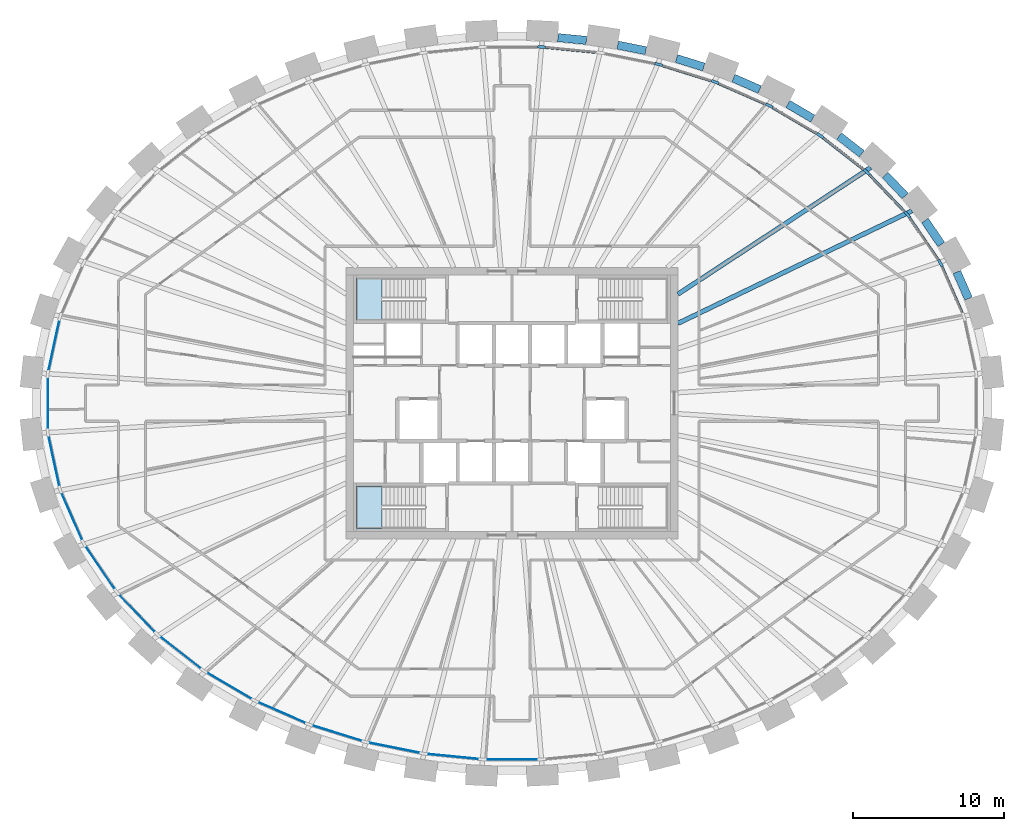
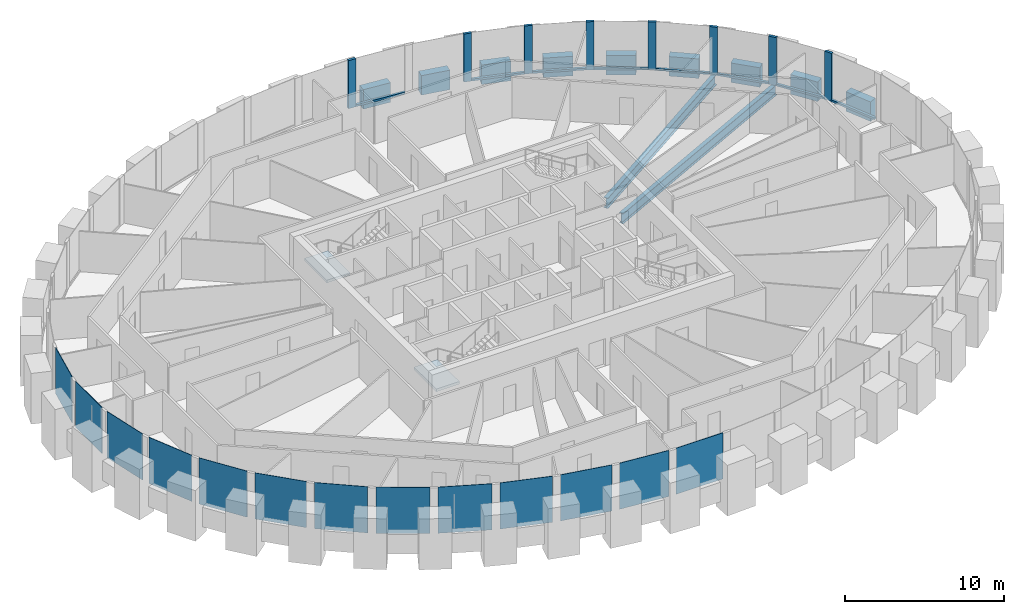
# One storey, part 4 of 12: 16 members, 13 plates, 11 beams, 2 slabs, 3 elements without a shape of their own.
"""IFC4 building model written with IfcOpenShell, lengths in metres."""

from ifc_helpers import new_model, si_unit, direction, frame, origin, origin_2d, place, context, subcontext, project, spatial, polyline, rectangle, i_section, outline, extrude, source, transform, mapped, material, layer, layer_set, material_profile, profile_set, type_object, element, aggregate, save


model = new_model("IFC4")

# Units and contexts
model_context = context("Model", 3, precision=1e-05, world=origin(), true_north=direction((0.0, 1.0)))
body_context = subcontext(model_context, "Body", "Model", "MODEL_VIEW")
ifc_project = project(units=[si_unit("LENGTHUNIT", "METRE"), si_unit("AREAUNIT", "SQUARE_METRE"), si_unit("VOLUMEUNIT", "CUBIC_METRE"), si_unit("PLANEANGLEUNIT", "RADIAN"), si_unit("MASSUNIT", "GRAM", prefix="KILO")], contexts=[model_context])

# Site, building, storey
site_placement = place(None, origin())
site = spatial("IfcSite", under=ifc_project, at=site_placement, CompositionType="ELEMENT")
building_placement = place(site_placement, origin())
building = spatial("IfcBuilding", under=site, at=building_placement, Name="Embergate Tower", CompositionType="ELEMENT")
storey_placement = place(building_placement, frame((0.0, 0.0, 281.199951171875)))
storey = spatial("IfcBuildingStorey", under=building, at=storey_placement, Name="L65", CompositionType="ELEMENT", Elevation=281.199951171875)

# Beams
ifc_material_1 = material(Name="Concrete C60", Category="concrete")
ifc_material_profile_1 = material_profile(ifc_material_1, rectangle(XDim=0.550048828125, YDim=1.5, at=origin_2d()), Name="RC 550x1500")
ifc_profile_set_1 = profile_set([ifc_material_profile_1], Name="Concrete C60")
beam_type_1 = type_object("IfcBeamType", Name="Spandrel beam RC 550x1500 C60", PredefinedType="BEAM", material=ifc_profile_set_1)
shared_shape_1 = source(origin(), body_context, "Body", "SweptSolid", [
    extrude(rectangle(XDim=0.550048828125, YDim=1.5, at=origin_2d()), origin(), (0.0, 0.0, 1.0), 1.924560546875),
])
beam_1_placement = place(storey_placement, frame((30.26904296875, 6.93505859375, 0.0), z_axis=(-0.402156084764, 0.91557112421, 0.0), x_axis=(-0.91557112421, -0.402156084764, 0.0)))
element("IfcBeam", 1, at=beam_1_placement, inside=storey, type_object=beam_type_1, Name="SPN-L65-01", PredefinedType="BEAM", context=body_context, shape_type="MappedRepresentation", body=[
    mapped(shared_shape_1, transform((0.0, 0.0, 0.0))),
])
shared_shape_2 = source(origin(), body_context, "Body", "SweptSolid", [
    extrude(rectangle(XDim=0.550048828125, YDim=1.5, at=origin_2d()), origin(), (0.0, 0.0, 1.0), 1.91455078125),
])
beam_2_placement = place(storey_placement, frame((28.4609375, 10.52490234375, 0.0), z_axis=(-0.562473939822, 0.826815013785, 0.0), x_axis=(-0.826815013785, -0.562473939822, 0.0)))
element("IfcBeam", 2, at=beam_2_placement, inside=storey, type_object=beam_type_1, Name="SPN-L65-02", PredefinedType="BEAM", context=body_context, shape_type="MappedRepresentation", body=[
    mapped(shared_shape_2, transform((0.0, 0.0, 0.0))),
])
shared_shape_3 = source(origin(), body_context, "Body", "SweptSolid", [
    extrude(rectangle(XDim=0.550048828125, YDim=1.5, at=origin_2d()), origin(), (0.0, 0.0, 1.0), 1.913330078125),
])
beam_3_placement = place(storey_placement, frame((26.06494140625, 13.741943359375, 0.0), z_axis=(-0.690454502374, 0.723375822206, 0.0), x_axis=(-0.723375822206, -0.690454502374, 0.0)))
element("IfcBeam", 3, at=beam_3_placement, inside=storey, type_object=beam_type_1, Name="SPN-L65-03", PredefinedType="BEAM", context=body_context, shape_type="MappedRepresentation", body=[
    mapped(shared_shape_3, transform((0.0, 0.0, 0.0))),
])
shared_shape_4 = source(origin(), body_context, "Body", "SweptSolid", [
    extrude(rectangle(XDim=0.550048828125, YDim=1.5, at=origin_2d()), origin(), (0.0, 0.0, 1.0), 1.907958984375),
])
beam_4_placement = place(storey_placement, frame((23.18798828125, 16.535888671875, 0.0), z_axis=(-0.788241602778, 0.615365887623, 0.0), x_axis=(-0.615365887623, -0.788241602778, 0.0)))
element("IfcBeam", 4, at=beam_4_placement, inside=storey, type_object=beam_type_1, Name="SPN-L65-04", PredefinedType="BEAM", context=body_context, shape_type="MappedRepresentation", body=[
    mapped(shared_shape_4, transform((0.0, 0.0, 0.0))),
])
shared_shape_5 = source(origin(), body_context, "Body", "SweptSolid", [
    extrude(rectangle(XDim=0.550048828125, YDim=1.5, at=origin_2d()), origin(), (0.0, 0.0, 1.0), 1.90234375),
])
beam_5_placement = place(storey_placement, frame((19.93603515625, 18.8740234375, 0.0), z_axis=(-0.862145280572, 0.506661144343, 0.0), x_axis=(-0.506661144343, -0.862145280572, 0.0)))
element("IfcBeam", 5, at=beam_5_placement, inside=storey, type_object=beam_type_1, Name="SPN-L65-05", PredefinedType="BEAM", context=body_context, shape_type="MappedRepresentation", body=[
    mapped(shared_shape_5, transform((0.0, 0.0, 0.0))),
])
shared_shape_6 = source(origin(), body_context, "Body", "SweptSolid", [
    extrude(rectangle(XDim=0.550048828125, YDim=1.5, at=origin_2d()), origin(), (0.0, 0.0, 1.0), 1.89990234375),
])
beam_6_placement = place(storey_placement, frame((16.425048828125, 20.79296875, 0.0), z_axis=(-0.916289991501, 0.400515482192, 0.0), x_axis=(-0.400515482192, -0.916289991501, 0.0)))
element("IfcBeam", 6, at=beam_6_placement, inside=storey, type_object=beam_type_1, Name="SPN-L65-06", PredefinedType="BEAM", context=body_context, shape_type="MappedRepresentation", body=[
    mapped(shared_shape_6, transform((0.0, 0.0, 0.0))),
])
shared_shape_7 = source(origin(), body_context, "Body", "SweptSolid", [
    extrude(rectangle(XDim=0.550048828125, YDim=1.5, at=origin_2d()), origin(), (0.0, 0.0, 1.0), 1.898681640625),
])
beam_7_placement = place(storey_placement, frame((12.717041015625, 22.2880859375, 0.0), z_axis=(-0.954868123024, 0.297030078667, 0.0), x_axis=(-0.297030078667, -0.954868123024, 0.0)))
element("IfcBeam", 7, at=beam_7_placement, inside=storey, type_object=beam_type_1, Name="SPN-L65-07", PredefinedType="BEAM", context=body_context, shape_type="MappedRepresentation", body=[
    mapped(shared_shape_7, transform((0.0, 0.0, 0.0))),
])
shared_shape_8 = source(origin(), body_context, "Body", "SweptSolid", [
    extrude(rectangle(XDim=0.550048828125, YDim=1.5, at=origin_2d()), origin(), (0.0, 0.0, 1.0), 1.895751953125),
])
beam_8_placement = place(storey_placement, frame((8.868896484375, 23.3720703125, 0.0), z_axis=(-0.980575722075, 0.196140901592, 0.0), x_axis=(-0.196140901592, -0.980575722075, 0.0)))
element("IfcBeam", 8, at=beam_8_placement, inside=storey, type_object=beam_type_1, Name="SPN-L65-08", PredefinedType="BEAM", context=body_context, shape_type="MappedRepresentation", body=[
    mapped(shared_shape_8, transform((0.0, 0.0, 0.0))),
])
shared_shape_9 = source(origin(), body_context, "Body", "SweptSolid", [
    extrude(rectangle(XDim=0.550048828125, YDim=1.5, at=origin_2d()), origin(), (0.0, 0.0, 1.0), 1.896240234375),
])
beam_9_placement = place(storey_placement, frame((4.93310546875, 24.053955078125, 0.0), z_axis=(-0.995176416472, 0.098101478571, 0.0), x_axis=(-0.098101478571, -0.995176416472, 0.0)))
element("IfcBeam", 9, at=beam_9_placement, inside=storey, type_object=beam_type_1, Name="SPN-L65-09", PredefinedType="BEAM", context=body_context, shape_type="MappedRepresentation", body=[
    mapped(shared_shape_9, transform((0.0, 0.0, 0.0))),
])
ifc_material_2 = material(Name="Steel Q355B", Category="steel")
ifc_material_profile_2 = material_profile(ifc_material_2, i_section(OverallWidth=0.300048828125, OverallDepth=0.800048828125, WebThickness=0.013916015625, FlangeThickness=0.02587890625, FilletRadius=0.028076171875, at=origin_2d()), Name="HN 800x300x14x26")
ifc_profile_set_2 = profile_set([ifc_material_profile_2], Name="Steel Q355 grade B")
beam_type_2 = type_object("IfcBeamType", Name="Radial girder HN 800x300x14x26", PredefinedType="BEAM", material=ifc_profile_set_2)
shared_shape_10 = source(origin(), body_context, "Body", "SweptSolid", [
    extrude(i_section(OverallWidth=0.300048828125, OverallDepth=0.800048828125, WebThickness=0.013916015625, FlangeThickness=0.02587890625, FilletRadius=0.028076171875, at=origin_2d()), origin(), (0.0, 0.0, 1.0), 17.216552734375),
])
beam_10_placement = place(storey_placement, frame((26.514892578125, 12.7548828125, -0.599853515625), z_axis=(-0.90116604055, -0.433474067689, 0.0), x_axis=(0.433474067689, -0.90116604055, 0.0)))
element("IfcBeam", 10, at=beam_10_placement, inside=storey, type_object=beam_type_2, Name="GIR-L65-03", PredefinedType="BEAM", context=body_context, shape_type="MappedRepresentation", body=[
    mapped(shared_shape_10, transform((0.0, 0.0, 0.0))),
])
shared_shape_11 = source(origin(), body_context, "Body", "SweptSolid", [
    extrude(i_section(OverallWidth=0.300048828125, OverallDepth=0.800048828125, WebThickness=0.013916015625, FlangeThickness=0.02587890625, FilletRadius=0.028076171875, at=origin_2d()), origin(), (0.0, 0.0, 1.0), 15.29052734375),
])
beam_11_placement = place(storey_placement, frame((23.779052734375, 15.623046875, -0.599853515625), z_axis=(-0.835755516173, -0.549101736645, 0.0), x_axis=(0.549101736645, -0.835755516173, 0.0)))
element("IfcBeam", 11, at=beam_11_placement, inside=storey, type_object=beam_type_2, Name="GIR-L65-04", PredefinedType="BEAM", context=body_context, shape_type="MappedRepresentation", body=[
    mapped(shared_shape_11, transform((0.0, 0.0, 0.0))),
])

# Curtain wall, members, plates
ifc_material_3 = material(Name="Aluminium and glass", Category="aluminium")
curtain_wall_type = type_object("IfcCurtainWallType", Name="Recessed office glazing", PredefinedType="NOTDEFINED", material=ifc_material_3)
curtain_wall_placement = place(storey_placement, origin())
curtain_wall = element("IfcCurtainWall", 12, at=curtain_wall_placement, inside=storey, type_object=curtain_wall_type, Name="Recessed office glazing ring", ObjectType="RECESSED OFFICE GLAZING", PredefinedType="USERDEFINED")
ifc_material_4 = material(Name="Aluminium, thermally broken", Category="aluminium")
ifc_material_profile_3 = material_profile(ifc_material_4, rectangle(XDim=0.179931640625, YDim=0.52001953125, at=origin_2d()), Name="AL 520x180")
ifc_profile_set_3 = profile_set([ifc_material_profile_3], Name="Aluminium, thermally broken")
member_type_1 = type_object("IfcMemberType", Name="Office mullion", PredefinedType="MULLION", material=ifc_profile_set_3)
shared_shape_12 = source(origin(), body_context, "Body", "SweptSolid", [
    extrude(rectangle(XDim=0.179931640625, YDim=0.52001953125, at=origin_2d()), origin(), (0.0, 0.0, 1.0), 3.699951171875),
])
member_1_placement = place(storey_placement, frame((28.402099609375, 9.2890625, 0.0), z_axis=(0.0, 0.0, 1.0), x_axis=(-0.874992601244, -0.484136290489, 0.0)))
member_1 = element("IfcMember", 13, at=member_1_placement, type_object=member_type_1, Name="CW mullion 3", PredefinedType="MULLION", context=body_context, shape_type="MappedRepresentation", body=[
    mapped(shared_shape_12, transform((0.0, 0.0, 0.0))),
])
member_2_placement = place(storey_placement, frame((26.212158203125, 12.509521484375, 0.0), z_axis=(0.0, 0.0, 1.0), x_axis=(-0.777861596203, -0.628435626897, 0.0)))
member_2 = element("IfcMember", 14, at=member_2_placement, type_object=member_type_1, Name="CW mullion 4", PredefinedType="MULLION", context=body_context, shape_type="MappedRepresentation", body=[
    mapped(shared_shape_12, transform((0.0, 0.0, 0.0))),
])
member_3_placement = place(storey_placement, frame((23.5185546875, 15.333740234375, 0.0), z_axis=(0.0, 0.0, 1.0), x_axis=(-0.671216184057, -0.741261650337, 0.0)))
member_3 = element("IfcMember", 15, at=member_3_placement, type_object=member_type_1, Name="CW mullion 5", PredefinedType="MULLION", context=body_context, shape_type="MappedRepresentation", body=[
    mapped(shared_shape_12, transform((0.0, 0.0, 0.0))),
])
member_4_placement = place(storey_placement, frame((20.43603515625, 17.73974609375, 0.0), z_axis=(0.0, 0.0, 1.0), x_axis=(-0.562207514921, -0.82699619719, 0.0)))
member_4 = element("IfcMember", 16, at=member_4_placement, type_object=member_type_1, Name="CW mullion 6", PredefinedType="MULLION", context=body_context, shape_type="MappedRepresentation", body=[
    mapped(shared_shape_12, transform((0.0, 0.0, 0.0))),
])
member_5_placement = place(storey_placement, frame((17.06005859375, 19.724365234375, 0.0), z_axis=(0.0, 0.0, 1.0), x_axis=(-0.454503607328, -0.89074489666, 0.0)))
member_5 = element("IfcMember", 17, at=member_5_placement, type_object=member_type_1, Name="CW mullion 7", PredefinedType="MULLION", context=body_context, shape_type="MappedRepresentation", body=[
    mapped(shared_shape_12, transform((0.0, 0.0, 0.0))),
])
member_6_placement = place(storey_placement, frame((13.468017578125, 21.295166015625, 0.0), z_axis=(0.0, 0.0, 1.0), x_axis=(-0.349497777064, -0.936937193107, 0.0)))
member_6 = element("IfcMember", 18, at=member_6_placement, type_object=member_type_1, Name="CW mullion 8", PredefinedType="MULLION", context=body_context, shape_type="MappedRepresentation", body=[
    mapped(shared_shape_12, transform((0.0, 0.0, 0.0))),
])
member_7_placement = place(storey_placement, frame((9.7216796875, 22.4619140625, 0.0), z_axis=(0.0, 0.0, 1.0), x_axis=(-0.247308499144, -0.96893679167, 0.0)))
member_7 = element("IfcMember", 19, at=member_7_placement, type_object=member_type_1, Name="CW mullion 9", PredefinedType="MULLION", context=body_context, shape_type="MappedRepresentation", body=[
    mapped(shared_shape_12, transform((0.0, 0.0, 0.0))),
])
member_8_placement = place(storey_placement, frame((1.9638671875, 23.6181640625, 0.0), z_axis=(0.0, 0.0, 1.0), x_axis=(-0.048970053385, -0.998800247232, 0.0)))
member_8 = element("IfcMember", 20, at=member_8_placement, type_object=member_type_1, Name="CW mullion 11", PredefinedType="MULLION", context=body_context, shape_type="MappedRepresentation", body=[
    mapped(shared_shape_12, transform((0.0, 0.0, 0.0))),
])
ifc_material_profile_4 = material_profile(ifc_material_4, rectangle(XDim=0.179931640625, YDim=0.14990234375, at=origin_2d()), Name="AL 150x180")
ifc_profile_set_4 = profile_set([ifc_material_profile_4], Name="Aluminium, thermally broken")
member_type_2 = type_object("IfcMemberType", Name="Office sill transom", PredefinedType="USERDEFINED", material=ifc_profile_set_4)
shared_shape_13 = source(origin(), body_context, "Body", "SweptSolid", [
    extrude(rectangle(XDim=0.179931640625, YDim=0.14990234375, at=origin_2d()), origin(), (0.0, 0.0, 1.0), 3.365966796875),
])
member_9_placement = place(storey_placement, frame((29.8583984375, 5.968505859375, 0.074951171875), z_axis=(-0.401617738642, 0.91580739897, 0.0), x_axis=(-0.91580739897, -0.401617738642, 0.0)))
member_9 = element("IfcMember", 21, at=member_9_placement, type_object=member_type_2, Name="CW transom 2.1", ObjectType="TRANSOM", PredefinedType="USERDEFINED", context=body_context, shape_type="MappedRepresentation", body=[
    mapped(shared_shape_13, transform((0.0, 0.0, 0.0))),
])
shared_shape_14 = source(origin(), body_context, "Body", "SweptSolid", [
    extrude(rectangle(XDim=0.179931640625, YDim=0.14990234375, at=origin_2d()), origin(), (0.0, 0.0, 1.0), 3.37451171875),
])
member_10_placement = place(storey_placement, frame((28.256103515625, 9.504150390625, 0.074951171875), z_axis=(-0.562373345437, 0.826883438183, 0.0), x_axis=(-0.826883438183, -0.562373345437, 0.0)))
member_10 = element("IfcMember", 22, at=member_10_placement, type_object=member_type_2, Name="CW transom 3.1", ObjectType="TRANSOM", PredefinedType="USERDEFINED", context=body_context, shape_type="MappedRepresentation", body=[
    mapped(shared_shape_14, transform((0.0, 0.0, 0.0))),
])
shared_shape_15 = source(origin(), body_context, "Body", "SweptSolid", [
    extrude(rectangle(XDim=0.179931640625, YDim=0.14990234375, at=origin_2d()), origin(), (0.0, 0.0, 1.0), 3.383056640625),
])
member_11_placement = place(storey_placement, frame((26.03271484375, 12.697509765625, 0.074951171875), z_axis=(-0.690128955737, 0.723686413064, 0.0), x_axis=(-0.723686413064, -0.690128955737, 0.0)))
member_11 = element("IfcMember", 23, at=member_11_placement, type_object=member_type_2, Name="CW transom 4.1", ObjectType="TRANSOM", PredefinedType="USERDEFINED", context=body_context, shape_type="MappedRepresentation", body=[
    mapped(shared_shape_15, transform((0.0, 0.0, 0.0))),
])
shared_shape_16 = source(origin(), body_context, "Body", "SweptSolid", [
    extrude(rectangle(XDim=0.179931640625, YDim=0.14990234375, at=origin_2d()), origin(), (0.0, 0.0, 1.0), 3.39013671875),
])
member_12_placement = place(storey_placement, frame((23.313720703125, 15.493896484375, 0.074951171875), z_axis=(-0.788350711598, 0.61522610114, 0.0), x_axis=(-0.61522610114, -0.788350711598, 0.0)))
member_12 = element("IfcMember", 24, at=member_12_placement, type_object=member_type_2, Name="CW transom 5.1", ObjectType="TRANSOM", PredefinedType="USERDEFINED", context=body_context, shape_type="MappedRepresentation", body=[
    mapped(shared_shape_16, transform((0.0, 0.0, 0.0))),
])
shared_shape_17 = source(origin(), body_context, "Body", "SweptSolid", [
    extrude(rectangle(XDim=0.179931640625, YDim=0.14990234375, at=origin_2d()), origin(), (0.0, 0.0, 1.0), 3.396240234375),
])
member_13_placement = place(storey_placement, frame((20.2119140625, 17.87158203125, 0.074951171875), z_axis=(-0.86206354594, 0.50680020004, 0.0), x_axis=(-0.50680020004, -0.86206354594, 0.0)))
member_13 = element("IfcMember", 25, at=member_13_placement, type_object=member_type_2, Name="CW transom 6.1", ObjectType="TRANSOM", PredefinedType="USERDEFINED", context=body_context, shape_type="MappedRepresentation", body=[
    mapped(shared_shape_17, transform((0.0, 0.0, 0.0))),
])
shared_shape_18 = source(origin(), body_context, "Body", "SweptSolid", [
    extrude(rectangle(XDim=0.179931640625, YDim=0.14990234375, at=origin_2d()), origin(), (0.0, 0.0, 1.0), 3.400634765625),
])
member_14_placement = place(storey_placement, frame((16.822021484375, 19.82861328125, 0.074951171875), z_axis=(-0.916246290904, 0.400615444542, 0.0), x_axis=(-0.400615444542, -0.916246290904, 0.0)))
member_14 = element("IfcMember", 26, at=member_14_placement, type_object=member_type_2, Name="CW transom 7.1", ObjectType="TRANSOM", PredefinedType="USERDEFINED", context=body_context, shape_type="MappedRepresentation", body=[
    mapped(shared_shape_18, transform((0.0, 0.0, 0.0))),
])
shared_shape_19 = source(origin(), body_context, "Body", "SweptSolid", [
    extrude(rectangle(XDim=0.179931640625, YDim=0.14990234375, at=origin_2d()), origin(), (0.0, 0.0, 1.0), 3.40380859375),
])
member_15_placement = place(storey_placement, frame((13.2197265625, 21.37255859375, 0.074951171875), z_axis=(-0.954785768132, 0.297294697183, 0.0), x_axis=(-0.297294697183, -0.954785768132, 0.0)))
member_15 = element("IfcMember", 27, at=member_15_placement, type_object=member_type_2, Name="CW transom 8.1", ObjectType="TRANSOM", PredefinedType="USERDEFINED", context=body_context, shape_type="MappedRepresentation", body=[
    mapped(shared_shape_19, transform((0.0, 0.0, 0.0))),
])
shared_shape_20 = source(origin(), body_context, "Body", "SweptSolid", [
    extrude(rectangle(XDim=0.179931640625, YDim=0.14990234375, at=origin_2d()), origin(), (0.0, 0.0, 1.0), 3.4072265625),
])
member_16_placement = place(storey_placement, frame((5.613525390625, 23.25927734375, 0.074951171875), z_axis=(-0.995205303523, 0.097807994766, 0.0), x_axis=(-0.097807994766, -0.995205303523, 0.0)))
member_16 = element("IfcMember", 28, at=member_16_placement, type_object=member_type_2, Name="CW transom 10.1", ObjectType="TRANSOM", PredefinedType="USERDEFINED", context=body_context, shape_type="MappedRepresentation", body=[
    mapped(shared_shape_20, transform((0.0, 0.0, 0.0))),
])
ifc_material_5 = material(Name="Triple glazing, low-emissivity coating", Category="glass")
ifc_layer_1 = layer(ifc_material_5, 0.035888671875)
ifc_layer_set_1 = layer_set([ifc_layer_1], Name="Triple glazing, low-emissivity coating")
plate_type = type_object("IfcPlateType", Name="Office glazing unit", PredefinedType="CURTAIN_PANEL", material=ifc_layer_set_1)
shared_shape_21 = source(origin(), body_context, "Body", "SweptSolid", [
    extrude(rectangle(XDim=3.359130859375, YDim=0.035888671875, at=origin_2d()), origin(), (0.0, 0.0, 1.0), 3.550048828125),
])
plate_1_placement = place(storey_placement, frame((-30.37109375, 3.834228515625, 0.14990234375), z_axis=(0.0, 0.0, 1.0), x_axis=(-0.210401803698, -0.977614996305, 0.0)))
plate_1 = element("IfcPlate", 29, at=plate_1_placement, type_object=plate_type, Name="CW panel 21.1", PredefinedType="CURTAIN_PANEL", context=body_context, shape_type="MappedRepresentation", body=[
    mapped(shared_shape_21, transform((0.0, 0.0, 0.0))),
])
plate_2_placement = place(storey_placement, frame((-30.37109375, -3.834228515625, 0.14990234375), z_axis=(0.0, 0.0, 1.0), x_axis=(0.210401803698, -0.977614996305, 0.0)))
plate_2 = element("IfcPlate", 30, at=plate_2_placement, type_object=plate_type, Name="CW panel 23.1", PredefinedType="CURTAIN_PANEL", context=body_context, shape_type="MappedRepresentation", body=[
    mapped(shared_shape_21, transform((0.0, 0.0, 0.0))),
])
shared_shape_22 = source(origin(), body_context, "Body", "SweptSolid", [
    extrude(rectangle(XDim=3.36572265625, YDim=0.035888671875, at=origin_2d()), origin(), (0.0, 0.0, 1.0), 3.550048828125),
])
plate_3_placement = place(storey_placement, frame((-29.1826171875, -7.509765625, 0.14990234375), z_axis=(0.0, 0.0, 1.0), x_axis=(0.401658494584, -0.915789524797, 0.0)))
plate_3 = element("IfcPlate", 31, at=plate_3_placement, type_object=plate_type, Name="CW panel 24.1", PredefinedType="CURTAIN_PANEL", context=body_context, shape_type="MappedRepresentation", body=[
    mapped(shared_shape_22, transform((0.0, 0.0, 0.0))),
])
shared_shape_23 = source(origin(), body_context, "Body", "SweptSolid", [
    extrude(rectangle(XDim=3.37451171875, YDim=0.035888671875, at=origin_2d()), origin(), (0.0, 0.0, 1.0), 3.550048828125),
])
plate_4_placement = place(storey_placement, frame((-27.30712890625, -10.899169921875, 0.14990234375), z_axis=(0.0, 0.0, 1.0), x_axis=(0.562347514787, -0.826901005328, 0.0)))
plate_4 = element("IfcPlate", 32, at=plate_4_placement, type_object=plate_type, Name="CW panel 25.1", PredefinedType="CURTAIN_PANEL", context=body_context, shape_type="MappedRepresentation", body=[
    mapped(shared_shape_23, transform((0.0, 0.0, 0.0))),
])
shared_shape_24 = source(origin(), body_context, "Body", "SweptSolid", [
    extrude(rectangle(XDim=3.3828125, YDim=0.035888671875, at=origin_2d()), origin(), (0.0, 0.0, 1.0), 3.550048828125),
])
plate_5_placement = place(storey_placement, frame((-24.865478515625, -13.921630859375, 0.14990234375), z_axis=(0.0, 0.0, 1.0), x_axis=(0.6901388367, -0.723676990154, 0.0)))
plate_5 = element("IfcPlate", 33, at=plate_5_placement, type_object=plate_type, Name="CW panel 26.1", PredefinedType="CURTAIN_PANEL", context=body_context, shape_type="MappedRepresentation", body=[
    mapped(shared_shape_24, transform((0.0, 0.0, 0.0))),
])
shared_shape_25 = source(origin(), body_context, "Body", "SweptSolid", [
    extrude(rectangle(XDim=3.390380859375, YDim=0.035888671875, at=origin_2d()), origin(), (0.0, 0.0, 1.0), 3.550048828125),
])
plate_6_placement = place(storey_placement, frame((-21.977294921875, -16.536865234375, 0.14990234375), z_axis=(0.0, 0.0, 1.0), x_axis=(0.788323340765, -0.615261172515, 0.0)))
plate_6 = element("IfcPlate", 34, at=plate_6_placement, type_object=plate_type, Name="CW panel 27.1", PredefinedType="CURTAIN_PANEL", context=body_context, shape_type="MappedRepresentation", body=[
    mapped(shared_shape_25, transform((0.0, 0.0, 0.0))),
])
shared_shape_26 = source(origin(), body_context, "Body", "SweptSolid", [
    extrude(rectangle(XDim=3.39599609375, YDim=0.035888671875, at=origin_2d()), origin(), (0.0, 0.0, 1.0), 3.550048828125),
])
plate_7_placement = place(storey_placement, frame((-18.748046875, -18.732177734375, 0.14990234375), z_axis=(0.0, 0.0, 1.0), x_axis=(0.862054936934, -0.506814843614, 0.0)))
plate_7 = element("IfcPlate", 35, at=plate_7_placement, type_object=plate_type, Name="CW panel 28.1", PredefinedType="CURTAIN_PANEL", context=body_context, shape_type="MappedRepresentation", body=[
    mapped(shared_shape_26, transform((0.0, 0.0, 0.0))),
])
shared_shape_27 = source(origin(), body_context, "Body", "SweptSolid", [
    extrude(rectangle(XDim=3.400634765625, YDim=0.035888671875, at=origin_2d()), origin(), (0.0, 0.0, 1.0), 3.550048828125),
])
plate_8_placement = place(storey_placement, frame((-15.263916015625, -20.509765625, 0.14990234375), z_axis=(0.0, 0.0, 1.0), x_axis=(0.916236910986, -0.400636896638, 0.0)))
plate_8 = element("IfcPlate", 36, at=plate_8_placement, type_object=plate_type, Name="CW panel 29.1", PredefinedType="CURTAIN_PANEL", context=body_context, shape_type="MappedRepresentation", body=[
    mapped(shared_shape_27, transform((0.0, 0.0, 0.0))),
])
shared_shape_28 = source(origin(), body_context, "Body", "SweptSolid", [
    extrude(rectangle(XDim=3.40380859375, YDim=0.035888671875, at=origin_2d()), origin(), (0.0, 0.0, 1.0), 3.550048828125),
])
plate_9_placement = place(storey_placement, frame((-11.5947265625, -21.87841796875, 0.14990234375), z_axis=(0.0, 0.0, 1.0), x_axis=(0.954772736126, -0.297336547283, 0.0)))
plate_9 = element("IfcPlate", 37, at=plate_9_placement, type_object=plate_type, Name="CW panel 30.1", PredefinedType="CURTAIN_PANEL", context=body_context, shape_type="MappedRepresentation", body=[
    mapped(shared_shape_28, transform((0.0, 0.0, 0.0))),
])
shared_shape_29 = source(origin(), body_context, "Body", "SweptSolid", [
    extrude(rectangle(XDim=3.406005859375, YDim=0.035888671875, at=origin_2d()), origin(), (0.0, 0.0, 1.0), 3.550048828125),
])
plate_10_placement = place(storey_placement, frame((-7.796875, -22.847900390625, 0.14990234375), z_axis=(0.0, 0.0, 1.0), x_axis=(0.980475907409, -0.196639250889, 0.0)))
plate_10 = element("IfcPlate", 38, at=plate_10_placement, type_object=plate_type, Name="CW panel 31.1", PredefinedType="CURTAIN_PANEL", context=body_context, shape_type="MappedRepresentation", body=[
    mapped(shared_shape_29, transform((0.0, 0.0, 0.0))),
])
shared_shape_30 = source(origin(), body_context, "Body", "SweptSolid", [
    extrude(rectangle(XDim=3.4072265625, YDim=0.035888671875, at=origin_2d()), origin(), (0.0, 0.0, 1.0), 3.550048828125),
])
plate_11_placement = place(storey_placement, frame((-3.91796875, -23.426025390625, 0.14990234375), z_axis=(0.0, 0.0, 1.0), x_axis=(0.995203184788, -0.097829550688, 0.0)))
plate_11 = element("IfcPlate", 39, at=plate_11_placement, type_object=plate_type, Name="CW panel 32.1", PredefinedType="CURTAIN_PANEL", context=body_context, shape_type="MappedRepresentation", body=[
    mapped(shared_shape_30, transform((0.0, 0.0, 0.0))),
])
shared_shape_31 = source(origin(), body_context, "Body", "SweptSolid", [
    extrude(rectangle(XDim=3.40771484375, YDim=0.035888671875, at=origin_2d()), origin(), (0.0, 0.0, 1.0), 3.550048828125),
])
plate_12_placement = place(storey_placement, frame((0.0, -23.6181640625, 0.14990234375), z_axis=(0.0, 0.0, 1.0), x_axis=(1.0, 0.0, 0.0)))
plate_12 = element("IfcPlate", 40, at=plate_12_placement, type_object=plate_type, Name="CW panel 33.1", PredefinedType="CURTAIN_PANEL", context=body_context, shape_type="MappedRepresentation", body=[
    mapped(shared_shape_31, transform((0.0, 0.0, 0.0))),
])
shared_shape_32 = source(origin(), body_context, "Body", "SweptSolid", [
    extrude(rectangle(XDim=3.3564453125, YDim=0.035888671875, at=origin_2d()), origin(), (0.0, 0.0, 1.0), 3.550048828125),
])
plate_13_placement = place(storey_placement, frame((-30.779052734375, 0.0, 0.14990234375), z_axis=(0.0, 0.0, 1.0), x_axis=(0.0, -1.0, 0.0)))
plate_13 = element("IfcPlate", 41, at=plate_13_placement, type_object=plate_type, Name="CW panel 22.1", PredefinedType="CURTAIN_PANEL", context=body_context, shape_type="MappedRepresentation", body=[
    mapped(shared_shape_32, transform((0.0, 0.0, 0.0))),
])
aggregate(curtain_wall, [member_1, member_2, member_3, member_4, member_5, member_6, member_7, member_8, member_9, member_10, member_11, member_12, member_13, member_14, member_15, member_16, plate_1, plate_13, plate_2, plate_3, plate_4, plate_5, plate_6, plate_7, plate_8, plate_9, plate_10, plate_11, plate_12])

# Stair, slab
ifc_material_6 = material(Name="Exit stair")
stair_type = type_object("IfcStairType", Name="Exit stair", PredefinedType="HALF_TURN_STAIR", material=ifc_material_6)
stair_1_placement = place(storey_placement, origin())
stair_1 = element("IfcStair", 42, at=stair_1_placement, inside=storey, type_object=stair_type, Name="L65 Exit stair 1", PredefinedType="HALF_TURN_STAIR")
ifc_material_7 = material(Name="Concrete C40", Category="concrete")
ifc_layer_2 = layer(ifc_material_7, 0.199951171875)
ifc_layer_set_2 = layer_set([ifc_layer_2], Name="Concrete C40")
slab_type = type_object("IfcSlabType", Name="Stair landing reinforced concrete", PredefinedType="LANDING", material=ifc_layer_set_2)
shared_shape_33 = source(origin(), body_context, "Body", "SweptSolid", [
    extrude(outline(polyline([(0.0, 0.0), (1.68994140625, 0.0), (1.68994140625, 2.800048828125), (0.0, 2.800048828125), (0.0, 0.0)])), origin(), (0.0, 0.0, 1.0), 0.199951171875),
])
slab_1_placement = place(storey_placement, frame((-10.300048828125, 5.5, 1.75)))
slab_1 = element("IfcSlab", 43, at=slab_1_placement, type_object=slab_type, Name="ST1 landing 1", PredefinedType="LANDING", context=body_context, shape_type="MappedRepresentation", body=[
    mapped(shared_shape_33, transform((0.0, 0.0, 0.0))),
])
aggregate(stair_1, [slab_1])

stair_2_placement = place(storey_placement, origin())
stair_2 = element("IfcStair", 44, at=stair_2_placement, inside=storey, type_object=stair_type, Name="L65 Exit stair 3", PredefinedType="HALF_TURN_STAIR")
slab_2_placement = place(storey_placement, frame((-10.300048828125, -8.300048828125, 1.75)))
slab_2 = element("IfcSlab", 45, at=slab_2_placement, type_object=slab_type, Name="ST3 landing 1", PredefinedType="LANDING", context=body_context, shape_type="MappedRepresentation", body=[
    mapped(shared_shape_33, transform((0.0, 0.0, 0.0))),
])
aggregate(stair_2, [slab_2])

save(model, "model.ifc")
